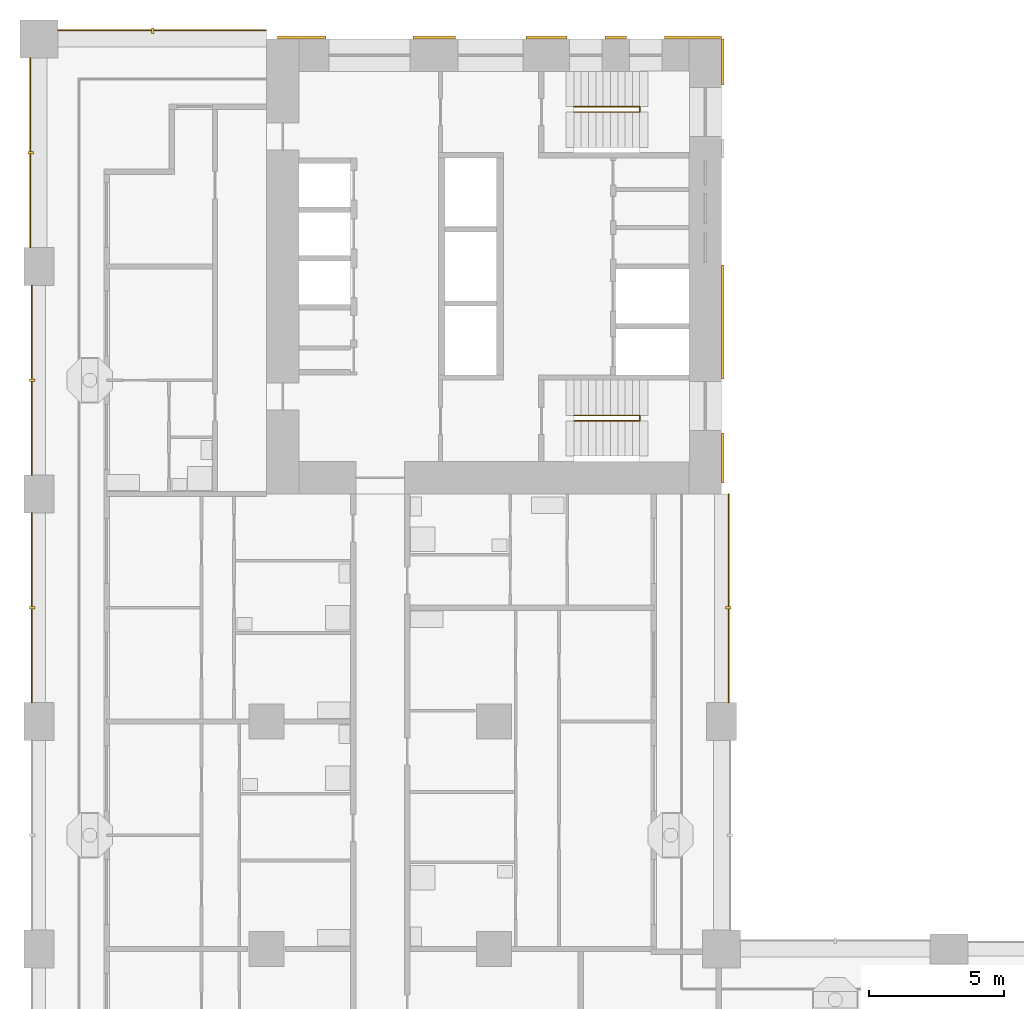
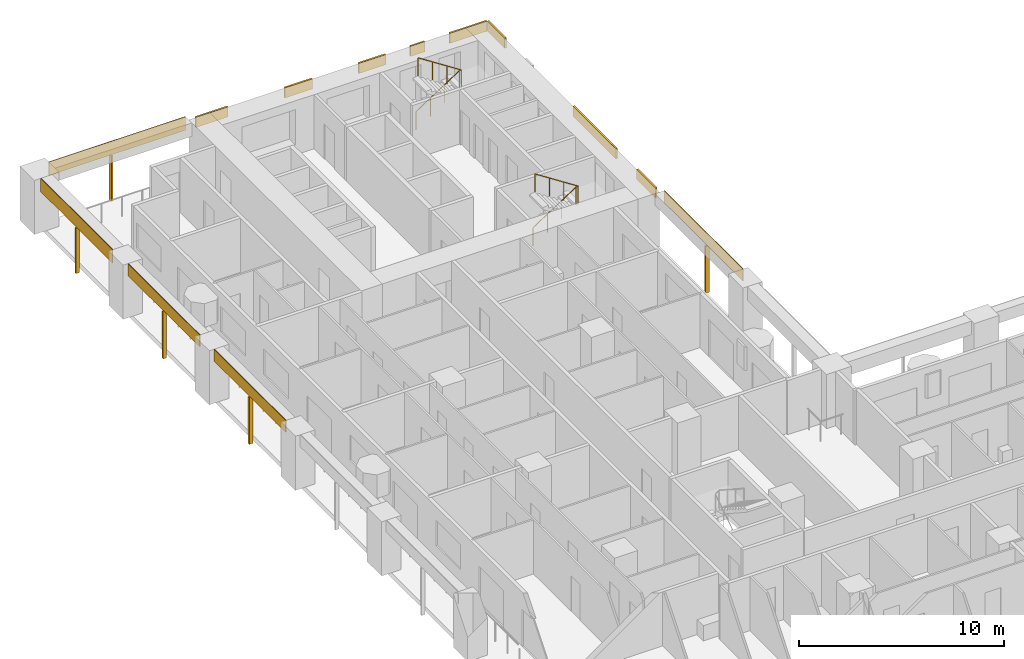
# One storey, part 16 of 22: 18 shading devices, 2 railings.
"""IFC4 building model written with IfcOpenShell, lengths in metres."""

from ifc_helpers import new_model, si_unit, direction, frame, origin, origin_2d, place, context, subcontext, project, spatial, rectangle, circle, extrude, material, layer, layer_set, material_profile, profile_set, type_object, element, save


model = new_model("IFC4")

# Units and contexts
model_context = context("Model", 3, precision=1e-05, world=origin(), true_north=direction((0.0, 1.0)))
body_context = subcontext(model_context, "Body", "Model", "MODEL_VIEW")
ifc_project = project(units=[si_unit("LENGTHUNIT", "METRE"), si_unit("AREAUNIT", "SQUARE_METRE"), si_unit("VOLUMEUNIT", "CUBIC_METRE"), si_unit("PLANEANGLEUNIT", "RADIAN"), si_unit("MASSUNIT", "GRAM", prefix="KILO")], contexts=[model_context])

# Site, building, storey
site_placement = place(None, origin())
site = spatial("IfcSite", under=ifc_project, at=site_placement, CompositionType="ELEMENT")
building_placement = place(site_placement, origin())
building = spatial("IfcBuilding", under=site, at=building_placement, Name="Vermilion Gate Residences", CompositionType="ELEMENT")
storey_placement = place(building_placement, frame((0.0, 0.0, 60.199951171875)))
storey = spatial("IfcBuildingStorey", under=building, at=storey_placement, Name="L14", CompositionType="ELEMENT", Elevation=60.199951171875)

# Shading devices
ifc_material_1 = material(Name="Perforated terracotta", Category="masonry")
ifc_layer_1 = layer(ifc_material_1, 0.0400390625)
ifc_layer_set_1 = layer_set([ifc_layer_1], Name="PERFORATED TERRACOTTA SCREEN 40")
shading_device_type_1 = type_object("IfcShadingDeviceType", Name="PERFORATED TERRACOTTA SCREEN 40", PredefinedType="SHUTTER", material=ifc_layer_set_1)
shading_device_1_placement = place(storey_placement, frame((25.469970703125, 38.14990234375, 2.52001953125), z_axis=(0.0, 0.0, 1.0), x_axis=(0.0, 1.0, 0.0)))
element("IfcShadingDevice", 1, at=shading_device_1_placement, inside=storey, type_object=shading_device_type_1, Name="SCREEN", PredefinedType="SHUTTER", context=body_context, shape_type="SweptSolid", body=[
    extrude(rectangle(XDim=7.699951171875, YDim=0.0400390625, at=origin_2d()), origin(), (0.0, 0.0, 1.0), 0.699951171875),
])
shading_device_2_placement = place(storey_placement, frame((4.550048828125, 59.1201171875, 2.419921875), z_axis=(0.0, 0.0, 1.0), x_axis=(-1.0, 0.0, 0.0)))
element("IfcShadingDevice", 2, at=shading_device_2_placement, inside=storey, type_object=shading_device_type_1, Name="SCREEN", PredefinedType="SHUTTER", context=body_context, shape_type="SweptSolid", body=[
    extrude(rectangle(XDim=7.699951171875, YDim=0.0400390625, at=origin_2d()), origin(), (0.0, 0.0, 1.0), 0.800048828125),
])
for number, where, z_axis, x_axis, name in (
    (3, (-0.27001953125, 37.800048828125, 2.52001953125), (0.0, 0.0, 1.0), (0.0, -1.0, 0.0), "SCREEN"),
    (4, (-0.27001953125, 46.199951171875, 2.52001953125), (0.0, 0.0, 1.0), (0.0, -1.0, 0.0), "SCREEN"),
):
    element("IfcShadingDevice", number, at=place(storey_placement, frame(where, z_axis=z_axis, x_axis=x_axis)), inside=storey, type_object=shading_device_type_1, Name=name, PredefinedType="SHUTTER", context=body_context, shape_type="SweptSolid", body=[
        extrude(rectangle(XDim=7.0, YDim=0.0400390625, at=origin_2d()), origin(), (0.0, 0.0, 1.0), 0.699951171875),
    ])
shading_device_3_placement = place(storey_placement, frame((-0.320068359375, 54.60009765625, 2.419921875), z_axis=(0.0, 0.0, 1.0), x_axis=(0.0, -1.0, 0.0)))
element("IfcShadingDevice", 5, at=shading_device_3_placement, inside=storey, type_object=shading_device_type_1, Name="SCREEN", PredefinedType="SHUTTER", context=body_context, shape_type="SweptSolid", body=[
    extrude(rectangle(XDim=7.0, YDim=0.0400390625, at=origin_2d()), origin(), (0.0, 0.0, 1.0), 0.800048828125),
])

# Railings
ifc_material_2 = material(Name="Steel S355", Category="steel")
railing_type = type_object("IfcRailingType", Name="STAIR GUARD 1100 STEEL", PredefinedType="GUARDRAIL", material=ifc_material_2)
for number, where, name in (
    (6, (19.75, 56.300048828125, 0.175048828125), "Stair well guard STB1-14"),
    (7, (19.75, 44.89990234375, 0.175048828125), "Stair well guard STB2-14"),
):
    element("IfcRailing", number, at=place(storey_placement, frame(where)), inside=storey, type_object=railing_type, Name=name, PredefinedType="GUARDRAIL", context=body_context, shape_type="SweptSolid", body=[
        extrude(circle(Radius=0.02392578125, at=origin_2d()), frame((0.0, 0.0, 1.076171875), z_axis=(0.839153699163, 0.0, 0.543894354798), x_axis=(0.0, 1.0, 0.0)), (0.0, 0.0, 1.0), 2.895751953125),
        extrude(circle(Radius=0.02392578125, at=origin_2d()), frame((2.429931640625, 0.0, 2.65087890625), z_axis=(0.0, -0.752405939678, 0.658699705433), x_axis=(1.0, 0.0, 0.0)), (0.0, 0.0, 1.0), 0.265869140625),
        extrude(circle(Radius=0.02392578125, at=origin_2d()), frame((2.429931640625, -0.199951171875, 2.826171875), z_axis=(-0.839153699163, 0.0, 0.543894354798), x_axis=(0.0, -1.0, 0.0)), (0.0, 0.0, 1.0), 2.895751953125),
        extrude(circle(Radius=0.02099609375, at=origin_2d()), origin(), (0.0, 0.0, 1.0), 1.052001953125),
        extrude(circle(Radius=0.02099609375, at=origin_2d()), frame((0.81005859375, 0.0, 0.52490234375)), (0.0, 0.0, 1.0), 1.052001953125),
        extrude(circle(Radius=0.02099609375, at=origin_2d()), frame((1.619873046875, 0.0, 1.050048828125)), (0.0, 0.0, 1.0), 1.052001953125),
        extrude(circle(Radius=0.02099609375, at=origin_2d()), frame((2.429931640625, 0.0, 1.574951171875)), (0.0, 0.0, 1.0), 1.052001953125),
        extrude(circle(Radius=0.02099609375, at=origin_2d()), frame((2.429931640625, -0.199951171875, 1.75)), (0.0, 0.0, 1.0), 1.052001953125),
        extrude(circle(Radius=0.02099609375, at=origin_2d()), frame((1.619873046875, -0.199951171875, 2.27490234375)), (0.0, 0.0, 1.0), 1.052001953125),
        extrude(circle(Radius=0.02099609375, at=origin_2d()), frame((0.81005859375, -0.199951171875, 2.800048828125)), (0.0, 0.0, 1.0), 1.052001953125),
        extrude(circle(Radius=0.02099609375, at=origin_2d()), frame((0.0, -0.199951171875, 3.324951171875)), (0.0, 0.0, 1.0), 1.052001953125),
    ])

# Shading devices
ifc_material_3 = material(Name="Extruded terracotta", Category="masonry")
ifc_material_profile = material_profile(ifc_material_3, rectangle(XDim=0.199951171875, YDim=0.10009765625, at=origin_2d()), Name="BAGUETTE 100 X 200")
ifc_profile_set = profile_set([ifc_material_profile], Name="Extruded terracotta")
shading_device_type_2 = type_object("IfcShadingDeviceType", Name="TERRACOTTA BAGUETTE 100 X 200", PredefinedType="JALOUSIE", material=ifc_profile_set)
shading_device_4_placement = place(storey_placement, frame((25.449951171875, 37.800048828125, -0.280029296875), z_axis=(0.0, 0.0, 1.0), x_axis=(-1.0, 0.0, 0.0)))
element("IfcShadingDevice", 8, at=shading_device_4_placement, inside=storey, type_object=shading_device_type_2, Name="BAGUETTE", PredefinedType="JALOUSIE", context=body_context, shape_type="SweptSolid", body=[
    extrude(rectangle(XDim=0.199951171875, YDim=0.10009765625, at=origin_2d()), origin(), (0.0, 0.0, 1.0), 2.800048828125),
])
shading_device_5_placement = place(storey_placement, frame((4.199951171875, 59.10009765625, -0.280029296875), z_axis=(0.0, 0.0, 1.0), x_axis=(0.0, -1.0, 0.0)))
element("IfcShadingDevice", 9, at=shading_device_5_placement, inside=storey, type_object=shading_device_type_2, Name="BAGUETTE", PredefinedType="JALOUSIE", context=body_context, shape_type="SweptSolid", body=[
    extrude(rectangle(XDim=0.199951171875, YDim=0.10009765625, at=origin_2d()), origin(), (0.0, 0.0, 1.0), 2.7001953125),
])
for number, where, z_axis, x_axis, name in (
    (10, (-0.25, 37.800048828125, -0.280029296875), (0.0, 0.0, 1.0), (1.0, 0.0, 0.0), "BAGUETTE"),
    (11, (-0.25, 46.199951171875, -0.280029296875), (0.0, 0.0, 1.0), (1.0, 0.0, 0.0), "BAGUETTE"),
):
    element("IfcShadingDevice", number, at=place(storey_placement, frame(where, z_axis=z_axis, x_axis=x_axis)), inside=storey, type_object=shading_device_type_2, Name=name, PredefinedType="JALOUSIE", context=body_context, shape_type="SweptSolid", body=[
        extrude(rectangle(XDim=0.199951171875, YDim=0.10009765625, at=origin_2d()), origin(), (0.0, 0.0, 1.0), 2.800048828125),
    ])
shading_device_6_placement = place(storey_placement, frame((-0.300048828125, 54.60009765625, -0.280029296875), z_axis=(0.0, 0.0, 1.0), x_axis=(1.0, 0.0, 0.0)))
element("IfcShadingDevice", 12, at=shading_device_6_placement, inside=storey, type_object=shading_device_type_2, Name="BAGUETTE", PredefinedType="JALOUSIE", context=body_context, shape_type="SweptSolid", body=[
    extrude(rectangle(XDim=0.199951171875, YDim=0.10009765625, at=origin_2d()), origin(), (0.0, 0.0, 1.0), 2.7001953125),
])
ifc_material_4 = material(Name="Extruded terracotta", Category="masonry")
ifc_layer_2 = layer(ifc_material_4, 0.10009765625)
ifc_layer_set_2 = layer_set([ifc_layer_2], Name="TERRACOTTA SPANDREL BAND 600 X 100")
shading_device_type_3 = type_object("IfcShadingDeviceType", Name="TERRACOTTA SPANDREL BAND 600 X 100", PredefinedType="USERDEFINED", material=ifc_layer_set_2)
shading_device_7_placement = place(storey_placement, frame((9.702392578125, 58.85009765625, 2.6201171875), z_axis=(0.0, 0.0, 1.0), x_axis=(1.0, 0.0, 0.0)))
element("IfcShadingDevice", 13, at=shading_device_7_placement, inside=storey, type_object=shading_device_type_3, Name="SPANDREL BAND", ObjectType="BAND", PredefinedType="USERDEFINED", context=body_context, shape_type="SweptSolid", body=[
    extrude(rectangle(XDim=1.804931640625, YDim=0.10009765625, at=origin_2d()), origin(), (0.0, 0.0, 1.0), 0.60009765625),
])
shading_device_8_placement = place(storey_placement, frame((14.590087890625, 58.85009765625, 2.6201171875), z_axis=(0.0, 0.0, 1.0), x_axis=(1.0, 0.0, 0.0)))
element("IfcShadingDevice", 14, at=shading_device_8_placement, inside=storey, type_object=shading_device_type_3, Name="SPANDREL BAND", ObjectType="BAND", PredefinedType="USERDEFINED", context=body_context, shape_type="SweptSolid", body=[
    extrude(rectangle(XDim=1.570068359375, YDim=0.10009765625, at=origin_2d()), origin(), (0.0, 0.0, 1.0), 0.60009765625),
])
shading_device_9_placement = place(storey_placement, frame((18.734130859375, 58.85009765625, 2.6201171875), z_axis=(0.0, 0.0, 1.0), x_axis=(1.0, 0.0, 0.0)))
element("IfcShadingDevice", 15, at=shading_device_9_placement, inside=storey, type_object=shading_device_type_3, Name="SPANDREL BAND", ObjectType="BAND", PredefinedType="USERDEFINED", context=body_context, shape_type="SweptSolid", body=[
    extrude(rectangle(XDim=1.518310546875, YDim=0.10009765625, at=origin_2d()), origin(), (0.0, 0.0, 1.0), 0.60009765625),
])
shading_device_10_placement = place(storey_placement, frame((21.294921875, 58.85009765625, 2.6201171875), z_axis=(0.0, 0.0, 1.0), x_axis=(1.0, 0.0, 0.0)))
element("IfcShadingDevice", 16, at=shading_device_10_placement, inside=storey, type_object=shading_device_type_3, Name="SPANDREL BAND", ObjectType="BAND", PredefinedType="USERDEFINED", context=body_context, shape_type="SweptSolid", body=[
    extrude(rectangle(XDim=0.803466796875, YDim=0.10009765625, at=origin_2d()), origin(), (0.0, 0.0, 1.0), 0.60009765625),
])
shading_device_11_placement = place(storey_placement, frame((24.1484375, 58.85009765625, 2.6201171875), z_axis=(0.0, 0.0, 1.0), x_axis=(1.0, 0.0, 0.0)))
element("IfcShadingDevice", 17, at=shading_device_11_placement, inside=storey, type_object=shading_device_type_3, Name="SPANDREL BAND", ObjectType="BAND", PredefinedType="USERDEFINED", context=body_context, shape_type="SweptSolid", body=[
    extrude(rectangle(XDim=2.103271484375, YDim=0.10009765625, at=origin_2d()), origin(), (0.0, 0.0, 1.0), 0.60009765625),
])
shading_device_12_placement = place(storey_placement, frame((25.25, 43.324951171875, 2.6201171875), z_axis=(0.0, 0.0, 1.0), x_axis=(0.0, 1.0, 0.0)))
element("IfcShadingDevice", 18, at=shading_device_12_placement, inside=storey, type_object=shading_device_type_3, Name="SPANDREL BAND", ObjectType="BAND", PredefinedType="USERDEFINED", context=body_context, shape_type="SweptSolid", body=[
    extrude(rectangle(XDim=1.85009765625, YDim=0.10009765625, at=origin_2d()), origin(), (0.0, 0.0, 1.0), 0.60009765625),
])
shading_device_13_placement = place(storey_placement, frame((25.25, 48.35009765625, 2.6201171875), z_axis=(0.0, 0.0, 1.0), x_axis=(0.0, 1.0, 0.0)))
element("IfcShadingDevice", 19, at=shading_device_13_placement, inside=storey, type_object=shading_device_type_3, Name="SPANDREL BAND", ObjectType="BAND", PredefinedType="USERDEFINED", context=body_context, shape_type="SweptSolid", body=[
    extrude(rectangle(XDim=4.199951171875, YDim=0.10009765625, at=origin_2d()), origin(), (0.0, 0.0, 1.0), 0.60009765625),
])
shading_device_14_placement = place(storey_placement, frame((25.25, 57.949951171875, 2.6201171875), z_axis=(0.0, 0.0, 1.0), x_axis=(0.0, 1.0, 0.0)))
element("IfcShadingDevice", 20, at=shading_device_14_placement, inside=storey, type_object=shading_device_type_3, Name="SPANDREL BAND", ObjectType="BAND", PredefinedType="USERDEFINED", context=body_context, shape_type="SweptSolid", body=[
    extrude(rectangle(XDim=1.699951171875, YDim=0.10009765625, at=origin_2d()), origin(), (0.0, 0.0, 1.0), 0.60009765625),
])

save(model, "model.ifc")
